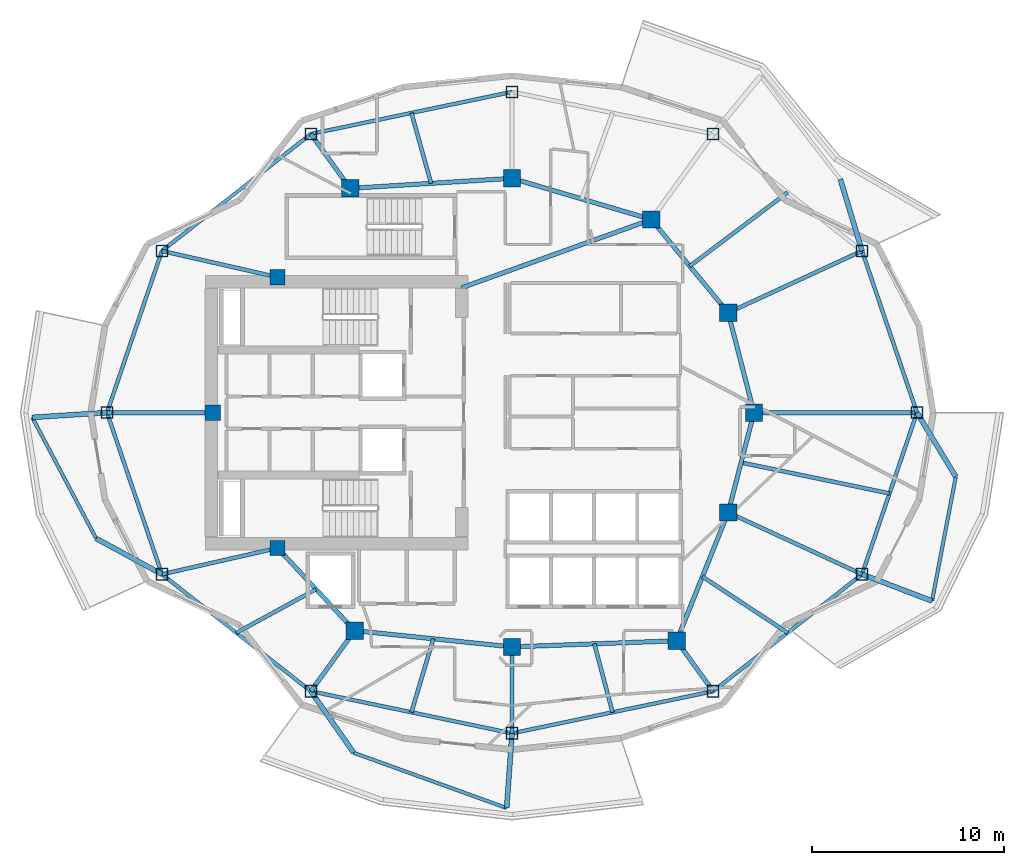
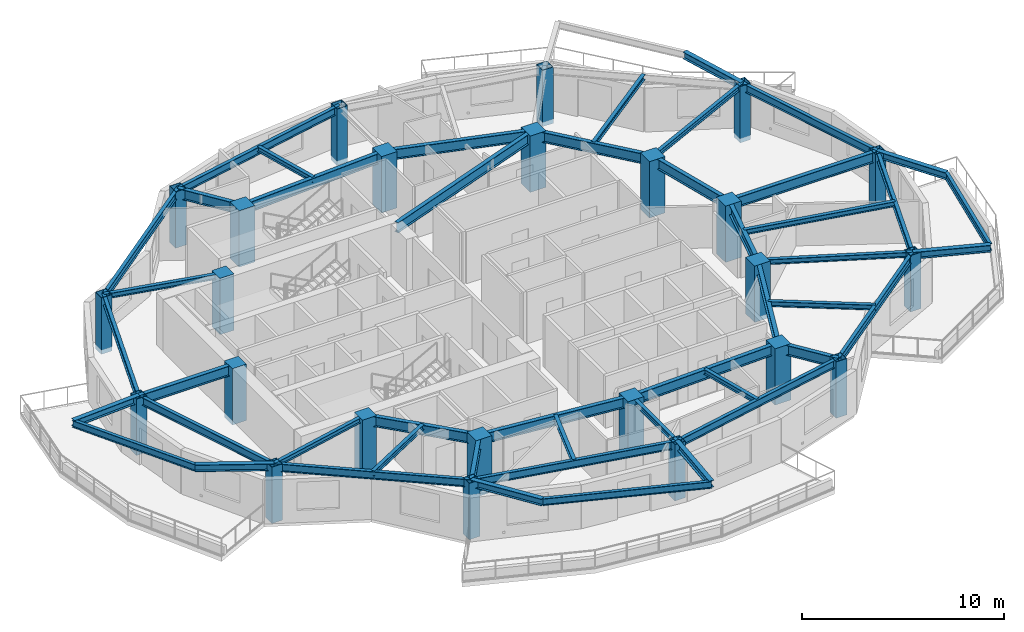
# One storey, part 1 of 11: 47 beams, 24 columns.
"""IFC4 building model written with IfcOpenShell, lengths in metres."""

from ifc_helpers import new_model, si_unit, direction, frame, origin, origin_2d, place, context, subcontext, project, spatial, rectangle, hollow_rectangle, i_section, extrude, material, material_profile, profile_set, type_object, element, save


model = new_model("IFC4")

# Units and contexts
model_context = context("Model", 3, precision=1e-05, world=origin(), true_north=direction((0.0, 1.0)))
body_context = subcontext(model_context, "Body", "Model", "MODEL_VIEW")
ifc_project = project(units=[si_unit("LENGTHUNIT", "METRE"), si_unit("AREAUNIT", "SQUARE_METRE"), si_unit("VOLUMEUNIT", "CUBIC_METRE"), si_unit("PLANEANGLEUNIT", "RADIAN"), si_unit("MASSUNIT", "GRAM", prefix="KILO")], contexts=[model_context])

# Site, building, storey
site_placement = place(None, origin())
site = spatial("IfcSite", under=ifc_project, at=site_placement, CompositionType="ELEMENT")
building_placement = place(site_placement, origin())
building = spatial("IfcBuilding", under=site, at=building_placement, Name="Kolvaren Gate Tower and Convention Centre", CompositionType="ELEMENT")
storey_placement = place(building_placement, frame((0.0, 0.0, 159.699951171875)))
storey = spatial("IfcBuildingStorey", under=building, at=storey_placement, Name="L41", CompositionType="ELEMENT", Elevation=159.699951171875)

# Columns
ifc_material_1 = material(Name="Structural steel ASTM A1085 Grade A 345 MPa", Category="steel")
ifc_material_profile_1 = material_profile(ifc_material_1, hollow_rectangle(XDim=0.610107421875, YDim=0.610107421875, WallThickness=0.025390625, at=origin_2d()), Name="HSS610X610X25.4")
ifc_profile_set_1 = profile_set([ifc_material_profile_1], Name="Structural steel ASTM A1085 Grade A 345 MPa")
column_type_1 = type_object("IfcColumnType", Name="STR-COL-HSS610", PredefinedType="COLUMN", material=ifc_profile_set_1)
for number, where, z_axis, x_axis, name in (
    (1, (51.21240234375, 27.0, -0.27001953125), (0.0, 0.0, 1.0), (1.0, 0.0, 0.0), "Tower L41 Perimeter Supercolumn TP-01"),
    (2, (48.351806640625, 35.418701171875, -0.27001953125), (0.0, 0.0, 1.0), (1.0, 0.0, 0.0), "Tower L41 Perimeter Supercolumn TP-02"),
    (3, (40.596435546875, 41.509521484375, -0.27001953125), (0.0, 0.0, 1.0), (1.0, 0.0, 0.0), "Tower L41 Perimeter Supercolumn TP-03"),
    (4, (30.125, 43.699951171875, -0.27001953125), (0.0, 0.0, 1.0), (1.0, 0.0, 0.0), "Tower L41 Perimeter Supercolumn TP-04"),
    (5, (19.65380859375, 41.509521484375, -0.27001953125), (0.0, 0.0, 1.0), (1.0, 0.0, 0.0), "Tower L41 Perimeter Supercolumn TP-05"),
    (6, (11.898193359375, 35.418701171875, -0.27001953125), (0.0, 0.0, 1.0), (1.0, 0.0, 0.0), "Tower L41 Perimeter Supercolumn TP-06"),
    (7, (9.03759765625, 27.0, -0.27001953125), (0.0, 0.0, 1.0), (1.0, 0.0, 0.0), "Tower L41 Perimeter Supercolumn TP-07"),
    (8, (11.898193359375, 18.581298828125, -0.27001953125), (0.0, 0.0, 1.0), (1.0, 0.0, 0.0), "Tower L41 Perimeter Supercolumn TP-08"),
    (9, (19.653564453125, 12.490478515625, -0.27001953125), (0.0, 0.0, 1.0), (1.0, 0.0, 0.0), "Tower L41 Perimeter Supercolumn TP-09"),
    (10, (30.125, 10.300048828125, -0.27001953125), (0.0, 0.0, 1.0), (1.0, 0.0, 0.0), "Tower L41 Perimeter Supercolumn TP-10"),
    (11, (40.596435546875, 12.490478515625, -0.27001953125), (0.0, 0.0, 1.0), (1.0, 0.0, 0.0), "Tower L41 Perimeter Supercolumn TP-11"),
    (12, (48.351806640625, 18.581298828125, -0.27001953125), (0.0, 0.0, 1.0), (1.0, 0.0, 0.0), "Tower L41 Perimeter Supercolumn TP-12"),
):
    element("IfcColumn", number, at=place(storey_placement, frame(where, z_axis=z_axis, x_axis=x_axis)), inside=storey, type_object=column_type_1, Name=name, PredefinedType="COLUMN", context=body_context, shape_type="SweptSolid", body=[
        extrude(hollow_rectangle(XDim=0.610107421875, YDim=0.610107421875, WallThickness=0.025390625, at=origin_2d()), origin(), (0.0, 0.0, 1.0), 3.400146484375),
    ])
ifc_material_2 = material(Name="Concrete C60/75", Category="concrete")
ifc_material_profile_2 = material_profile(ifc_material_2, rectangle(XDim=0.89990234375, YDim=0.89990234375, at=origin_2d()), Name="RC-COL-900X900")
ifc_profile_set_2 = profile_set([ifc_material_profile_2], Name="Concrete C60/75")
column_type_2 = type_object("IfcColumnType", Name="STR-COL-RC900", PredefinedType="COLUMN", material=ifc_profile_set_2)
for number, where, z_axis, x_axis, name in (
    (13, (42.72509765625, 27.0, -0.27001953125), (0.0, 0.0, 1.0), (1.0, 0.0, 0.0), "Tower L41 Interior Column TI-01"),
    (14, (41.382080078125, 32.199462890625, -0.27001953125), (0.0, 0.0, 1.0), (1.0, 0.0, 0.0), "Tower L41 Interior Column TI-02"),
    (15, (37.381591796875, 37.054931640625, -0.27001953125), (0.0, 0.0, 1.0), (1.0, 0.0, 0.0), "Tower L41 Interior Column TI-03"),
    (16, (30.125, 39.199951171875, -0.27001953125), (0.0, 0.0, 1.0), (1.0, 0.0, 0.0), "Tower L41 Interior Column TI-04"),
    (17, (21.697998046875, 38.6767578125, -0.27001953125), (0.0, 0.0, 1.0), (1.0, 0.0, 0.0), "Tower L41 Interior Column TI-05"),
    (18, (21.93212890625, 15.647705078125, -0.27001953125), (0.0, 0.0, 1.0), (1.0, 0.0, 0.0), "Tower L41 Interior Column TI-06"),
    (19, (30.125, 14.800048828125, -0.27001953125), (0.0, 0.0, 1.0), (1.0, 0.0, 0.0), "Tower L41 Interior Column TI-07"),
    (20, (38.6982421875, 15.12060546875, -0.27001953125), (0.0, 0.0, 1.0), (1.0, 0.0, 0.0), "Tower L41 Interior Column TI-08"),
    (21, (41.382080078125, 21.800537109375, -0.27001953125), (0.0, 0.0, 1.0), (1.0, 0.0, 0.0), "Tower L41 Interior Column TI-09"),
):
    element("IfcColumn", number, at=place(storey_placement, frame(where, z_axis=z_axis, x_axis=x_axis)), inside=storey, type_object=column_type_2, Name=name, PredefinedType="COLUMN", context=body_context, shape_type="SweptSolid", body=[
        extrude(rectangle(XDim=0.89990234375, YDim=0.89990234375, at=origin_2d()), origin(), (0.0, 0.0, 1.0), 3.400146484375),
    ])
ifc_material_profile_3 = material_profile(ifc_material_2, rectangle(XDim=0.800048828125, YDim=0.800048828125, at=origin_2d()), Name="RC-COL-800X800")
ifc_profile_set_3 = profile_set([ifc_material_profile_3], Name="Concrete C60/75")
column_type_3 = type_object("IfcColumnType", Name="STR-PIL-RC800", PredefinedType="PILASTER", material=ifc_profile_set_3)
for number, where, z_axis, x_axis, name in (
    (22, (17.9140625, 34.050048828125, -0.27001953125), (0.0, 0.0, 1.0), (1.0, 0.0, 0.0), "Tower L41 Core Boundary Pilaster TC-05"),
    (23, (14.550048828125, 27.0, -0.27001953125), (0.0, 0.0, 1.0), (1.0, 0.0, 0.0), "Tower L41 Core Boundary Pilaster TC-06"),
    (24, (17.9140625, 19.949951171875, -0.27001953125), (0.0, 0.0, 1.0), (1.0, 0.0, 0.0), "Tower L41 Core Boundary Pilaster TC-07"),
):
    element("IfcColumn", number, at=place(storey_placement, frame(where, z_axis=z_axis, x_axis=x_axis)), inside=storey, type_object=column_type_3, Name=name, PredefinedType="PILASTER", context=body_context, shape_type="SweptSolid", body=[
        extrude(rectangle(XDim=0.800048828125, YDim=0.800048828125, at=origin_2d()), origin(), (0.0, 0.0, 1.0), 3.400146484375),
    ])

# Beams
ifc_material_3 = material(Name="Structural steel ASTM A992 Grade 345 MPa", Category="steel")
ifc_material_profile_4 = material_profile(ifc_material_3, i_section(OverallWidth=0.260009765625, OverallDepth=0.419921875, WebThickness=0.013427734375, FlangeThickness=0.0224609375, at=origin_2d()), Name="W410X132")
ifc_profile_set_4 = profile_set([ifc_material_profile_4], Name="Structural steel ASTM A992 Grade 345 MPa")
beam_type_1 = type_object("IfcBeamType", Name="STR-BM-W410X132", PredefinedType="BEAM", material=ifc_profile_set_4)
for number, where, z_axis, x_axis, name in (
    (25, (48.351806640625, 35.418701171875, 2.920654296875), (-0.290155075149, 0.956979640518, 0.0), (-0.956979640518, -0.290155075149, 0.0), "Tower L42 Planted Balcony Outrigger Cantilever BC-1A"),
    (26, (9.03759765625, 27.0, 2.920654296875), (-0.997967389097, -0.063726684362, 0.0), (0.063726684362, -0.997967389097, 0.0), "Tower L42 Planted Balcony Outrigger Cantilever BC-2A"),
    (27, (11.898193359375, 18.581298828125, 2.920654296875), (-0.878175335842, 0.47833887519, 0.0), (-0.47833887519, -0.878175335842, 0.0), "Tower L42 Planted Balcony Outrigger Cantilever BC-2B"),
):
    element("IfcBeam", number, at=place(storey_placement, frame(where, z_axis=z_axis, x_axis=x_axis)), inside=storey, type_object=beam_type_1, Name=name, PredefinedType="BEAM", context=body_context, shape_type="SweptSolid", body=[
        extrude(i_section(OverallWidth=0.260009765625, OverallDepth=0.419921875, WebThickness=0.013427734375, FlangeThickness=0.0224609375, at=origin_2d()), origin(), (0.0, 0.0, 1.0), 3.89990234375),
    ])
for number, where, z_axis, x_axis, name in (
    (28, (19.653564453125, 12.490478515625, 2.920654296875), (0.57084620656, -0.821057006825, 0.0), (0.821057006825, 0.57084620656, 0.0), "Tower L42 Planted Balcony Outrigger Cantilever BC-3A"),
    (29, (30.125, 10.300048828125, 2.920654296875), (-0.071238152604, -0.997459335318, 0.0), (0.997459335318, -0.071238152604, 0.0), "Tower L42 Planted Balcony Outrigger Cantilever BC-3B"),
):
    element("IfcBeam", number, at=place(storey_placement, frame(where, z_axis=z_axis, x_axis=x_axis)), inside=storey, type_object=beam_type_1, Name=name, PredefinedType="BEAM", context=body_context, shape_type="SweptSolid", body=[
        extrude(i_section(OverallWidth=0.260009765625, OverallDepth=0.419921875, WebThickness=0.013427734375, FlangeThickness=0.0224609375, at=origin_2d()), origin(), (0.0, 0.0, 1.0), 3.900146484375),
    ])
for number, where, z_axis, x_axis, name in (
    (30, (48.351806640625, 18.581298828125, 2.920654296875), (0.934406389152, -0.356208786967, 0.0), (0.356208786967, 0.934406389152, 0.0), "Tower L42 Planted Balcony Outrigger Cantilever BC-4A"),
    (31, (51.21240234375, 27.0, 2.920654296875), (0.51832946338, -0.855181014401, 0.0), (0.855181014401, 0.51832946338, 0.0), "Tower L42 Planted Balcony Outrigger Cantilever BC-4B"),
):
    element("IfcBeam", number, at=place(storey_placement, frame(where, z_axis=z_axis, x_axis=x_axis)), inside=storey, type_object=beam_type_1, Name=name, PredefinedType="BEAM", context=body_context, shape_type="SweptSolid", body=[
        extrude(i_section(OverallWidth=0.260009765625, OverallDepth=0.419921875, WebThickness=0.013427734375, FlangeThickness=0.0224609375, at=origin_2d()), origin(), (0.0, 0.0, 1.0), 3.89990234375),
    ])
ifc_material_profile_5 = material_profile(ifc_material_3, i_section(OverallWidth=0.22998046875, OverallDepth=0.616943359375, WebThickness=0.01318359375, FlangeThickness=0.022216796875, at=origin_2d()), Name="W610X140")
ifc_profile_set_5 = profile_set([ifc_material_profile_5], Name="Structural steel ASTM A992 Grade 345 MPa")
beam_type_2 = type_object("IfcBeamType", Name="STR-BM-W610X140", PredefinedType="BEAM", material=ifc_profile_set_5)
beam_1_placement = place(storey_placement, frame((42.72509765625, 27.0, 2.821533203125), z_axis=(-0.250091133936, -0.968222301296, 0.0), x_axis=(0.968222301296, -0.250091133936, 0.0)))
element("IfcBeam", 32, at=beam_1_placement, inside=storey, type_object=beam_type_2, Name="Tower L41 Primary Ring Girder G-01", PredefinedType="BEAM", context=body_context, shape_type="SweptSolid", body=[
    extrude(i_section(OverallWidth=0.22998046875, OverallDepth=0.616943359375, WebThickness=0.01318359375, FlangeThickness=0.022216796875, at=origin_2d()), origin(), (0.0, 0.0, 1.0), 5.3701171875),
])
beam_2_placement = place(storey_placement, frame((41.382080078125, 32.199462890625, 2.821533203125), z_axis=(-0.635884066011, 0.771784590798, 0.0), x_axis=(-0.771784590798, -0.635884066011, 0.0)))
element("IfcBeam", 33, at=beam_2_placement, inside=storey, type_object=beam_type_2, Name="Tower L41 Primary Ring Girder G-02", PredefinedType="BEAM", context=body_context, shape_type="SweptSolid", body=[
    extrude(i_section(OverallWidth=0.22998046875, OverallDepth=0.616943359375, WebThickness=0.01318359375, FlangeThickness=0.022216796875, at=origin_2d()), origin(), (0.0, 0.0, 1.0), 6.291259765625),
])
beam_3_placement = place(storey_placement, frame((37.381591796875, 37.054931640625, 2.821533203125), z_axis=(-0.958980837827, 0.283470902706, 0.0), x_axis=(-0.283470902706, -0.958980837827, 0.0)))
element("IfcBeam", 34, at=beam_3_placement, inside=storey, type_object=beam_type_2, Name="Tower L41 Primary Ring Girder G-03", PredefinedType="BEAM", context=body_context, shape_type="SweptSolid", body=[
    extrude(i_section(OverallWidth=0.22998046875, OverallDepth=0.616943359375, WebThickness=0.01318359375, FlangeThickness=0.022216796875, at=origin_2d()), origin(), (0.0, 0.0, 1.0), 7.56689453125),
])
beam_4_placement = place(storey_placement, frame((30.125, 39.199951171875, 2.821533203125), z_axis=(-0.998078258568, -0.06196603726, 0.0), x_axis=(0.06196603726, -0.998078258568, 0.0)))
element("IfcBeam", 35, at=beam_4_placement, inside=storey, type_object=beam_type_2, Name="Tower L41 Primary Ring Girder G-04", PredefinedType="BEAM", context=body_context, shape_type="SweptSolid", body=[
    extrude(i_section(OverallWidth=0.22998046875, OverallDepth=0.616943359375, WebThickness=0.01318359375, FlangeThickness=0.022216796875, at=origin_2d()), origin(), (0.0, 0.0, 1.0), 8.443115234375),
])
beam_5_placement = place(storey_placement, frame((17.9140625, 19.949951171875, 2.821533203125), z_axis=(0.682557592987, -0.730831808459, 0.0), x_axis=(0.730831808459, 0.682557592987, 0.0)))
element("IfcBeam", 36, at=beam_5_placement, inside=storey, type_object=beam_type_2, Name="Tower L41 Primary Ring Girder G-06", PredefinedType="BEAM", context=body_context, shape_type="SweptSolid", body=[
    extrude(i_section(OverallWidth=0.22998046875, OverallDepth=0.616943359375, WebThickness=0.01318359375, FlangeThickness=0.022216796875, at=origin_2d()), origin(), (0.0, 0.0, 1.0), 5.88671875),
])
beam_6_placement = place(storey_placement, frame((21.93212890625, 15.647705078125, 2.821533203125), z_axis=(0.994690329115, -0.102913308978, 0.0), x_axis=(0.102913308978, 0.994690329115, 0.0)))
element("IfcBeam", 37, at=beam_6_placement, inside=storey, type_object=beam_type_2, Name="Tower L41 Primary Ring Girder G-07", PredefinedType="BEAM", context=body_context, shape_type="SweptSolid", body=[
    extrude(i_section(OverallWidth=0.22998046875, OverallDepth=0.616943359375, WebThickness=0.01318359375, FlangeThickness=0.022216796875, at=origin_2d()), origin(), (0.0, 0.0, 1.0), 8.236572265625),
])
beam_7_placement = place(storey_placement, frame((30.125, 14.800048828125, 2.821533203125), z_axis=(0.999301712453, 0.037364254142, 0.0), x_axis=(-0.037364254142, 0.999301712453, 0.0)))
element("IfcBeam", 38, at=beam_7_placement, inside=storey, type_object=beam_type_2, Name="Tower L41 Primary Ring Girder G-08", PredefinedType="BEAM", context=body_context, shape_type="SweptSolid", body=[
    extrude(i_section(OverallWidth=0.22998046875, OverallDepth=0.616943359375, WebThickness=0.01318359375, FlangeThickness=0.022216796875, at=origin_2d()), origin(), (0.0, 0.0, 1.0), 8.579345703125),
])
beam_8_placement = place(storey_placement, frame((38.6982421875, 15.12060546875, 2.821533203125), z_axis=(0.372811100169, 0.927907260232, 0.0), x_axis=(-0.927907260232, 0.372811100169, 0.0)))
element("IfcBeam", 39, at=beam_8_placement, inside=storey, type_object=beam_type_2, Name="Tower L41 Primary Ring Girder G-09", PredefinedType="BEAM", context=body_context, shape_type="SweptSolid", body=[
    extrude(i_section(OverallWidth=0.22998046875, OverallDepth=0.616943359375, WebThickness=0.01318359375, FlangeThickness=0.022216796875, at=origin_2d()), origin(), (0.0, 0.0, 1.0), 7.198974609375),
])
beam_9_placement = place(storey_placement, frame((27.5, 33.5, 2.821533203125), z_axis=(0.940961479908, 0.338513653093, 0.0), x_axis=(-0.338513653093, 0.940961479908, 0.0)))
element("IfcBeam", 40, at=beam_9_placement, inside=storey, type_object=beam_type_2, Name="Tower L41 Primary Ring Girder G-10", PredefinedType="BEAM", context=body_context, shape_type="SweptSolid", body=[
    extrude(i_section(OverallWidth=0.22998046875, OverallDepth=0.616943359375, WebThickness=0.01318359375, FlangeThickness=0.022216796875, at=origin_2d()), origin(), (0.0, 0.0, 1.0), 10.501708984375),
])
beam_10_placement = place(storey_placement, frame((42.72509765625, 27.0, 2.821533203125), z_axis=(-0.250091133936, 0.968222301296, 0.0), x_axis=(-0.968222301296, -0.250091133936, 0.0)))
element("IfcBeam", 41, at=beam_10_placement, inside=storey, type_object=beam_type_2, Name="Tower L41 Primary Ring Girder G-12", PredefinedType="BEAM", context=body_context, shape_type="SweptSolid", body=[
    extrude(i_section(OverallWidth=0.22998046875, OverallDepth=0.616943359375, WebThickness=0.01318359375, FlangeThickness=0.022216796875, at=origin_2d()), origin(), (0.0, 0.0, 1.0), 5.3701171875),
])
beam_11_placement = place(storey_placement, frame((42.72509765625, 27.0, 2.821533203125), z_axis=(1.0, 0.0, 0.0), x_axis=(0.0, 1.0, 0.0)))
element("IfcBeam", 42, at=beam_11_placement, inside=storey, type_object=beam_type_2, Name="Tower L41 Radial Floor Girder RB-01", PredefinedType="BEAM", context=body_context, shape_type="SweptSolid", body=[
    extrude(i_section(OverallWidth=0.22998046875, OverallDepth=0.616943359375, WebThickness=0.01318359375, FlangeThickness=0.022216796875, at=origin_2d()), origin(), (0.0, 0.0, 1.0), 8.4873046875),
])
beam_12_placement = place(storey_placement, frame((21.697998046875, 38.6767578125, 2.821533203125), z_axis=(-0.585171547435, 0.810909526441, 0.0), x_axis=(-0.810909526441, -0.585171547435, 0.0)))
element("IfcBeam", 43, at=beam_12_placement, inside=storey, type_object=beam_type_2, Name="Tower L41 Radial Floor Girder RB-05", PredefinedType="BEAM", context=body_context, shape_type="SweptSolid", body=[
    extrude(i_section(OverallWidth=0.22998046875, OverallDepth=0.616943359375, WebThickness=0.01318359375, FlangeThickness=0.022216796875, at=origin_2d()), origin(), (0.0, 0.0, 1.0), 3.493408203125),
])
beam_13_placement = place(storey_placement, frame((14.550048828125, 27.0, 2.821533203125), z_axis=(-1.0, 0.0, 0.0), x_axis=(0.0, -1.0, 0.0)))
element("IfcBeam", 44, at=beam_13_placement, inside=storey, type_object=beam_type_2, Name="Tower L41 Radial Floor Girder RB-07", PredefinedType="BEAM", context=body_context, shape_type="SweptSolid", body=[
    extrude(i_section(OverallWidth=0.22998046875, OverallDepth=0.616943359375, WebThickness=0.01318359375, FlangeThickness=0.022216796875, at=origin_2d()), origin(), (0.0, 0.0, 1.0), 5.512451171875),
])
beam_14_placement = place(storey_placement, frame((21.93212890625, 15.647705078125, 2.821533203125), z_axis=(-0.585211215329, -0.810880899672, 0.0), x_axis=(0.810880899672, -0.585211215329, 0.0)))
element("IfcBeam", 45, at=beam_14_placement, inside=storey, type_object=beam_type_2, Name="Tower L41 Radial Floor Girder RB-09", PredefinedType="BEAM", context=body_context, shape_type="SweptSolid", body=[
    extrude(i_section(OverallWidth=0.22998046875, OverallDepth=0.616943359375, WebThickness=0.01318359375, FlangeThickness=0.022216796875, at=origin_2d()), origin(), (0.0, 0.0, 1.0), 3.8935546875),
])
beam_15_placement = place(storey_placement, frame((38.6982421875, 15.12060546875, 2.821533203125), z_axis=(0.58521845229, -0.810875676722, 0.0), x_axis=(0.810875676722, 0.58521845229, 0.0)))
element("IfcBeam", 46, at=beam_15_placement, inside=storey, type_object=beam_type_2, Name="Tower L41 Radial Floor Girder RB-11", PredefinedType="BEAM", context=body_context, shape_type="SweptSolid", body=[
    extrude(i_section(OverallWidth=0.22998046875, OverallDepth=0.616943359375, WebThickness=0.01318359375, FlangeThickness=0.022216796875, at=origin_2d()), origin(), (0.0, 0.0, 1.0), 3.24365234375),
])
ifc_material_profile_6 = material_profile(ifc_material_3, i_section(OverallWidth=0.205078125, OverallDepth=0.31005859375, WebThickness=0.009521484375, FlangeThickness=0.016357421875, at=origin_2d()), Name="W310X74")
ifc_profile_set_6 = profile_set([ifc_material_profile_6], Name="Structural steel ASTM A992 Grade 345 MPa")
beam_type_3 = type_object("IfcBeamType", Name="STR-JS-W310X74", PredefinedType="JOIST", material=ifc_profile_set_6)
beam_16_placement = place(storey_placement, frame((41.382080078125, 32.199462890625, 2.97509765625), z_axis=(0.907838349939, 0.419320319542, 0.0), x_axis=(-0.419320319542, 0.907838349939, 0.0)))
element("IfcBeam", 47, at=beam_16_placement, inside=storey, type_object=beam_type_3, Name="Tower L41 Radial Floor Girder RB-02", PredefinedType="JOIST", context=body_context, shape_type="SweptSolid", body=[
    extrude(i_section(OverallWidth=0.205078125, OverallDepth=0.31005859375, WebThickness=0.009521484375, FlangeThickness=0.016357421875, at=origin_2d()), origin(), (0.0, 0.0, 1.0), 7.67724609375),
])
for number, where, z_axis, x_axis, name in (
    (48, (17.9140625, 34.050048828125, 2.97509765625), (-0.975083464295, 0.221838314226, 0.0), (-0.221838314226, -0.975083464295, 0.0), "Tower L41 Radial Floor Girder RB-06"),
    (49, (17.9140625, 19.949951171875, 2.97509765625), (-0.975083464295, -0.221838314226, 0.0), (0.221838314226, -0.975083464295, 0.0), "Tower L41 Radial Floor Girder RB-08"),
):
    element("IfcBeam", number, at=place(storey_placement, frame(where, z_axis=z_axis, x_axis=x_axis)), inside=storey, type_object=beam_type_3, Name=name, PredefinedType="JOIST", context=body_context, shape_type="SweptSolid", body=[
        extrude(i_section(OverallWidth=0.205078125, OverallDepth=0.31005859375, WebThickness=0.009521484375, FlangeThickness=0.016357421875, at=origin_2d()), origin(), (0.0, 0.0, 1.0), 6.169677734375),
    ])
beam_17_placement = place(storey_placement, frame((30.125, 14.800048828125, 2.97509765625), z_axis=(0.0, -1.0, 0.0), x_axis=(1.0, 0.0, 0.0)))
element("IfcBeam", 50, at=beam_17_placement, inside=storey, type_object=beam_type_3, Name="Tower L41 Radial Floor Girder RB-10", PredefinedType="JOIST", context=body_context, shape_type="SweptSolid", body=[
    extrude(i_section(OverallWidth=0.205078125, OverallDepth=0.31005859375, WebThickness=0.009521484375, FlangeThickness=0.016357421875, at=origin_2d()), origin(), (0.0, 0.0, 1.0), 4.5),
])
beam_18_placement = place(storey_placement, frame((41.382080078125, 21.800537109375, 2.97509765625), z_axis=(0.907838349939, -0.419320319542, 0.0), x_axis=(0.419320319542, 0.907838349939, 0.0)))
element("IfcBeam", 51, at=beam_18_placement, inside=storey, type_object=beam_type_3, Name="Tower L41 Radial Floor Girder RB-12", PredefinedType="JOIST", context=body_context, shape_type="SweptSolid", body=[
    extrude(i_section(OverallWidth=0.205078125, OverallDepth=0.31005859375, WebThickness=0.009521484375, FlangeThickness=0.016357421875, at=origin_2d()), origin(), (0.0, 0.0, 1.0), 7.67724609375),
])
beam_19_placement = place(storey_placement, frame((39.3818359375, 34.627197265625, 2.97509765625), z_axis=(0.798665513939, 0.601775204577, 0.0), x_axis=(-0.601775204577, 0.798665513939, 0.0)))
element("IfcBeam", 52, at=beam_19_placement, inside=storey, type_object=beam_type_3, Name="Tower L41 Secondary Composite Floor Joist J-02.1", PredefinedType="JOIST", context=body_context, shape_type="SweptSolid", body=[
    extrude(i_section(OverallWidth=0.205078125, OverallDepth=0.31005859375, WebThickness=0.009521484375, FlangeThickness=0.016357421875, at=origin_2d()), origin(), (0.0, 0.0, 1.0), 6.3759765625),
])
beam_20_placement = place(storey_placement, frame((25.91162109375, 38.938232421875, 2.97509765625), z_axis=(-0.26855678261, 0.963263855085, 0.0), x_axis=(-0.963263855085, -0.26855678261, 0.0)))
element("IfcBeam", 53, at=beam_20_placement, inside=storey, type_object=beam_type_3, Name="Tower L41 Secondary Composite Floor Joist J-04.1", PredefinedType="JOIST", context=body_context, shape_type="SweptSolid", body=[
    extrude(i_section(OverallWidth=0.205078125, OverallDepth=0.31005859375, WebThickness=0.009521484375, FlangeThickness=0.016357421875, at=origin_2d()), origin(), (0.0, 0.0, 1.0), 3.806396484375),
])
beam_21_placement = place(storey_placement, frame((19.923095703125, 17.798828125, 2.97509765625), z_axis=(-0.877822491981, -0.478986088078, 0.0), x_axis=(0.478986088078, -0.877822491981, 0.0)))
element("IfcBeam", 54, at=beam_21_placement, inside=storey, type_object=beam_type_3, Name="Tower L41 Secondary Composite Floor Joist J-08.1", PredefinedType="JOIST", context=body_context, shape_type="SweptSolid", body=[
    extrude(i_section(OverallWidth=0.205078125, OverallDepth=0.31005859375, WebThickness=0.009521484375, FlangeThickness=0.016357421875, at=origin_2d()), origin(), (0.0, 0.0, 1.0), 4.724365234375),
])
beam_22_placement = place(storey_placement, frame((26.028564453125, 15.223876953125, 2.97509765625), z_axis=(-0.28518274301, -0.958473162425, 0.0), x_axis=(0.958473162425, -0.28518274301, 0.0)))
element("IfcBeam", 55, at=beam_22_placement, inside=storey, type_object=beam_type_3, Name="Tower L41 Secondary Composite Floor Joist J-09.1", PredefinedType="JOIST", context=body_context, shape_type="SweptSolid", body=[
    extrude(i_section(OverallWidth=0.205078125, OverallDepth=0.31005859375, WebThickness=0.009521484375, FlangeThickness=0.016357421875, at=origin_2d()), origin(), (0.0, 0.0, 1.0), 3.994384765625),
])
beam_23_placement = place(storey_placement, frame((34.41162109375, 14.960205078125, 2.97509765625), z_axis=(0.257238365181, -0.966347982602, 0.0), x_axis=(0.966347982602, 0.257238365181, 0.0)))
element("IfcBeam", 56, at=beam_23_placement, inside=storey, type_object=beam_type_3, Name="Tower L41 Secondary Composite Floor Joist J-10.1", PredefinedType="JOIST", context=body_context, shape_type="SweptSolid", body=[
    extrude(i_section(OverallWidth=0.205078125, OverallDepth=0.31005859375, WebThickness=0.009521484375, FlangeThickness=0.016357421875, at=origin_2d()), origin(), (0.0, 0.0, 1.0), 3.68896484375),
])
beam_24_placement = place(storey_placement, frame((40.040283203125, 18.46044921875, 2.97509765625), z_axis=(0.834762790112, -0.550609738602, 0.0), x_axis=(0.550609738602, 0.834762790112, 0.0)))
element("IfcBeam", 57, at=beam_24_placement, inside=storey, type_object=beam_type_3, Name="Tower L41 Secondary Composite Floor Joist J-11.1", PredefinedType="JOIST", context=body_context, shape_type="SweptSolid", body=[
    extrude(i_section(OverallWidth=0.205078125, OverallDepth=0.31005859375, WebThickness=0.009521484375, FlangeThickness=0.016357421875, at=origin_2d()), origin(), (0.0, 0.0, 1.0), 5.3115234375),
])
beam_25_placement = place(storey_placement, frame((42.0537109375, 24.400146484375, 2.97509765625), z_axis=(0.978997655145, -0.203871506641, 0.0), x_axis=(0.203871506641, 0.978997655145, 0.0)))
element("IfcBeam", 58, at=beam_25_placement, inside=storey, type_object=beam_type_3, Name="Tower L41 Secondary Composite Floor Joist J-12.1", PredefinedType="JOIST", context=body_context, shape_type="SweptSolid", body=[
    extrude(i_section(OverallWidth=0.205078125, OverallDepth=0.31005859375, WebThickness=0.009521484375, FlangeThickness=0.016357421875, at=origin_2d()), origin(), (0.0, 0.0, 1.0), 7.89404296875),
])
ifc_material_profile_7 = material_profile(ifc_material_3, i_section(OverallWidth=0.180908203125, OverallDepth=0.4169921875, WebThickness=0.010986328125, FlangeThickness=0.018310546875, at=origin_2d()), Name="W410X85")
ifc_profile_set_7 = profile_set([ifc_material_profile_7], Name="Structural steel ASTM A992 Grade 345 MPa")
beam_type_4 = type_object("IfcBeamType", Name="STR-SP-W410X85", PredefinedType="SPANDREL", material=ifc_profile_set_7)
beam_26_placement = place(storey_placement, frame((5.1455078125, 26.75146484375, 2.922119140625), z_axis=(0.466803260322, -0.884361191003, 0.0), x_axis=(0.884361191003, 0.466803260322, 0.0)))
element("IfcBeam", 59, at=beam_26_placement, inside=storey, type_object=beam_type_4, Name="Tower L42 Planted Balcony Header Tie Beam BT-2", PredefinedType="SPANDREL", context=body_context, shape_type="SweptSolid", body=[
    extrude(i_section(OverallWidth=0.180908203125, OverallDepth=0.4169921875, WebThickness=0.010986328125, FlangeThickness=0.018310546875, at=origin_2d()), origin(), (0.0, 0.0, 1.0), 7.129150390625),
])
beam_27_placement = place(storey_placement, frame((21.8798828125, 9.288330078125, 2.922119140625), z_axis=(0.940503253062, -0.339784683263, 0.0), x_axis=(0.339784683263, 0.940503253062, 0.0)))
element("IfcBeam", 60, at=beam_27_placement, inside=storey, type_object=beam_type_4, Name="Tower L42 Planted Balcony Header Tie Beam BT-3", PredefinedType="SPANDREL", context=body_context, shape_type="SweptSolid", body=[
    extrude(i_section(OverallWidth=0.180908203125, OverallDepth=0.4169921875, WebThickness=0.010986328125, FlangeThickness=0.018310546875, at=origin_2d()), origin(), (0.0, 0.0, 1.0), 8.47119140625),
])
beam_28_placement = place(storey_placement, frame((51.995849609375, 17.192138671875, 2.922119140625), z_axis=(0.187866209954, 0.982194627942, 0.0), x_axis=(-0.982194627942, 0.187866209954, 0.0)))
element("IfcBeam", 61, at=beam_28_placement, inside=storey, type_object=beam_type_4, Name="Tower L42 Planted Balcony Header Tie Beam BT-4", PredefinedType="SPANDREL", context=body_context, shape_type="SweptSolid", body=[
    extrude(i_section(OverallWidth=0.180908203125, OverallDepth=0.4169921875, WebThickness=0.010986328125, FlangeThickness=0.018310546875, at=origin_2d()), origin(), (0.0, 0.0, 1.0), 6.590087890625),
])
ifc_material_profile_8 = material_profile(ifc_material_3, i_section(OverallWidth=0.194091796875, OverallDepth=0.468994140625, WebThickness=0.0126953125, FlangeThickness=0.0205078125, at=origin_2d()), Name="W460X106")
ifc_profile_set_8 = profile_set([ifc_material_profile_8], Name="Structural steel ASTM A992 Grade 345 MPa")
beam_type_5 = type_object("IfcBeamType", Name="STR-SP-W460X106", PredefinedType="SPANDREL", material=ifc_profile_set_8)
beam_29_placement = place(storey_placement, frame((51.21240234375, 27.0, 2.8955078125), z_axis=(-0.321725023609, 0.946833147489, 0.0), x_axis=(-0.946833147489, -0.321725023609, 0.0)))
element("IfcBeam", 62, at=beam_29_placement, inside=storey, type_object=beam_type_5, Name="Tower L41 Perimeter Spandrel Beam SP-01", PredefinedType="SPANDREL", context=body_context, shape_type="SweptSolid", body=[
    extrude(i_section(OverallWidth=0.194091796875, OverallDepth=0.468994140625, WebThickness=0.0126953125, FlangeThickness=0.0205078125, at=origin_2d()), origin(), (0.0, 0.0, 1.0), 8.891357421875),
])
beam_30_placement = place(storey_placement, frame((30.125, 43.699951171875, 2.8955078125), z_axis=(-0.978813393389, -0.204754342865, 0.0), x_axis=(0.204754342865, -0.978813393389, 0.0)))
element("IfcBeam", 63, at=beam_30_placement, inside=storey, type_object=beam_type_5, Name="Tower L41 Perimeter Spandrel Beam SP-04", PredefinedType="SPANDREL", context=body_context, shape_type="SweptSolid", body=[
    extrude(i_section(OverallWidth=0.194091796875, OverallDepth=0.468994140625, WebThickness=0.0126953125, FlangeThickness=0.0205078125, at=origin_2d()), origin(), (0.0, 0.0, 1.0), 10.69775390625),
])
beam_31_placement = place(storey_placement, frame((19.65380859375, 41.509521484375, 2.8955078125), z_axis=(-0.786460066421, -0.617641128752, 0.0), x_axis=(0.617641128752, -0.786460066421, 0.0)))
element("IfcBeam", 64, at=beam_31_placement, inside=storey, type_object=beam_type_5, Name="Tower L41 Perimeter Spandrel Beam SP-05", PredefinedType="SPANDREL", context=body_context, shape_type="SweptSolid", body=[
    extrude(i_section(OverallWidth=0.194091796875, OverallDepth=0.468994140625, WebThickness=0.0126953125, FlangeThickness=0.0205078125, at=origin_2d()), origin(), (0.0, 0.0, 1.0), 9.861328125),
])
for number, where, z_axis, x_axis, name in (
    (65, (11.898193359375, 35.418701171875, 2.8955078125), (-0.321725023609, -0.946833147489, 0.0), (0.946833147489, -0.321725023609, 0.0), "Tower L41 Perimeter Spandrel Beam SP-06"),
    (66, (9.03759765625, 27.0, 2.8955078125), (0.321725023609, -0.946833147489, 0.0), (0.946833147489, 0.321725023609, 0.0), "Tower L41 Perimeter Spandrel Beam SP-07"),
):
    element("IfcBeam", number, at=place(storey_placement, frame(where, z_axis=z_axis, x_axis=x_axis)), inside=storey, type_object=beam_type_5, Name=name, PredefinedType="SPANDREL", context=body_context, shape_type="SweptSolid", body=[
        extrude(i_section(OverallWidth=0.194091796875, OverallDepth=0.468994140625, WebThickness=0.0126953125, FlangeThickness=0.0205078125, at=origin_2d()), origin(), (0.0, 0.0, 1.0), 8.891357421875),
    ])
beam_32_placement = place(storey_placement, frame((11.898193359375, 18.581298828125, 2.8955078125), z_axis=(0.786450621777, -0.617653154697, 0.0), x_axis=(0.617653154697, 0.786450621777, 0.0)))
element("IfcBeam", 67, at=beam_32_placement, inside=storey, type_object=beam_type_5, Name="Tower L41 Perimeter Spandrel Beam SP-08", PredefinedType="SPANDREL", context=body_context, shape_type="SweptSolid", body=[
    extrude(i_section(OverallWidth=0.194091796875, OverallDepth=0.468994140625, WebThickness=0.0126953125, FlangeThickness=0.0205078125, at=origin_2d()), origin(), (0.0, 0.0, 1.0), 9.861328125),
])
for number, where, z_axis, x_axis, name in (
    (68, (19.653564453125, 12.490478515625, 2.8955078125), (0.978814350133, -0.204749769168, 0.0), (0.204749769168, 0.978814350133, 0.0), "Tower L41 Perimeter Spandrel Beam SP-09"),
    (69, (30.125, 10.300048828125, 2.8955078125), (0.978814350133, 0.204749769168, 0.0), (-0.204749769168, 0.978814350133, 0.0), "Tower L41 Perimeter Spandrel Beam SP-10"),
):
    element("IfcBeam", number, at=place(storey_placement, frame(where, z_axis=z_axis, x_axis=x_axis)), inside=storey, type_object=beam_type_5, Name=name, PredefinedType="SPANDREL", context=body_context, shape_type="SweptSolid", body=[
        extrude(i_section(OverallWidth=0.194091796875, OverallDepth=0.468994140625, WebThickness=0.0126953125, FlangeThickness=0.0205078125, at=origin_2d()), origin(), (0.0, 0.0, 1.0), 10.697998046875),
    ])
beam_33_placement = place(storey_placement, frame((40.596435546875, 12.490478515625, 2.8955078125), z_axis=(0.786450621777, 0.617653154697, 0.0), x_axis=(-0.617653154697, 0.786450621777, 0.0)))
element("IfcBeam", 70, at=beam_33_placement, inside=storey, type_object=beam_type_5, Name="Tower L41 Perimeter Spandrel Beam SP-11", PredefinedType="SPANDREL", context=body_context, shape_type="SweptSolid", body=[
    extrude(i_section(OverallWidth=0.194091796875, OverallDepth=0.468994140625, WebThickness=0.0126953125, FlangeThickness=0.0205078125, at=origin_2d()), origin(), (0.0, 0.0, 1.0), 9.861328125),
])
beam_34_placement = place(storey_placement, frame((48.351806640625, 18.581298828125, 2.8955078125), z_axis=(0.321725023609, 0.946833147489, 0.0), x_axis=(-0.946833147489, 0.321725023609, 0.0)))
element("IfcBeam", 71, at=beam_34_placement, inside=storey, type_object=beam_type_5, Name="Tower L41 Perimeter Spandrel Beam SP-12", PredefinedType="SPANDREL", context=body_context, shape_type="SweptSolid", body=[
    extrude(i_section(OverallWidth=0.194091796875, OverallDepth=0.468994140625, WebThickness=0.0126953125, FlangeThickness=0.0205078125, at=origin_2d()), origin(), (0.0, 0.0, 1.0), 8.891357421875),
])

save(model, "model.ifc")
